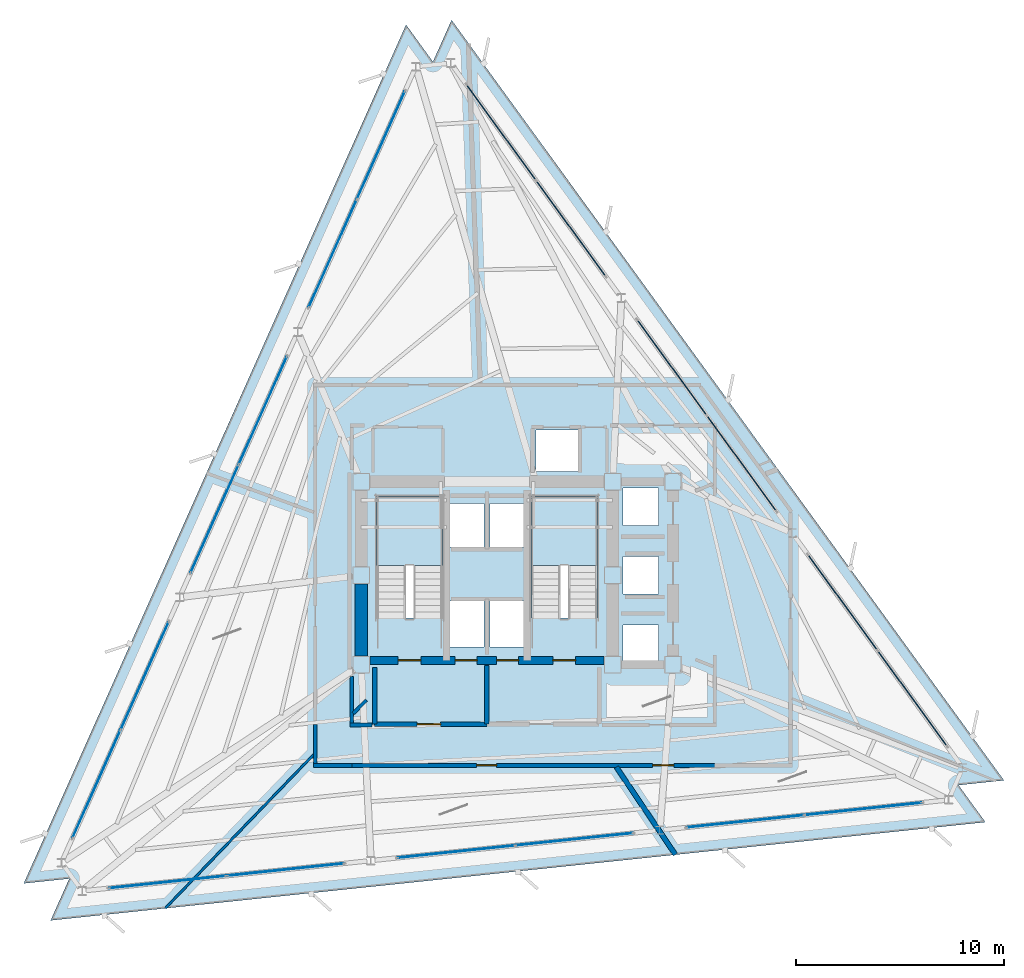
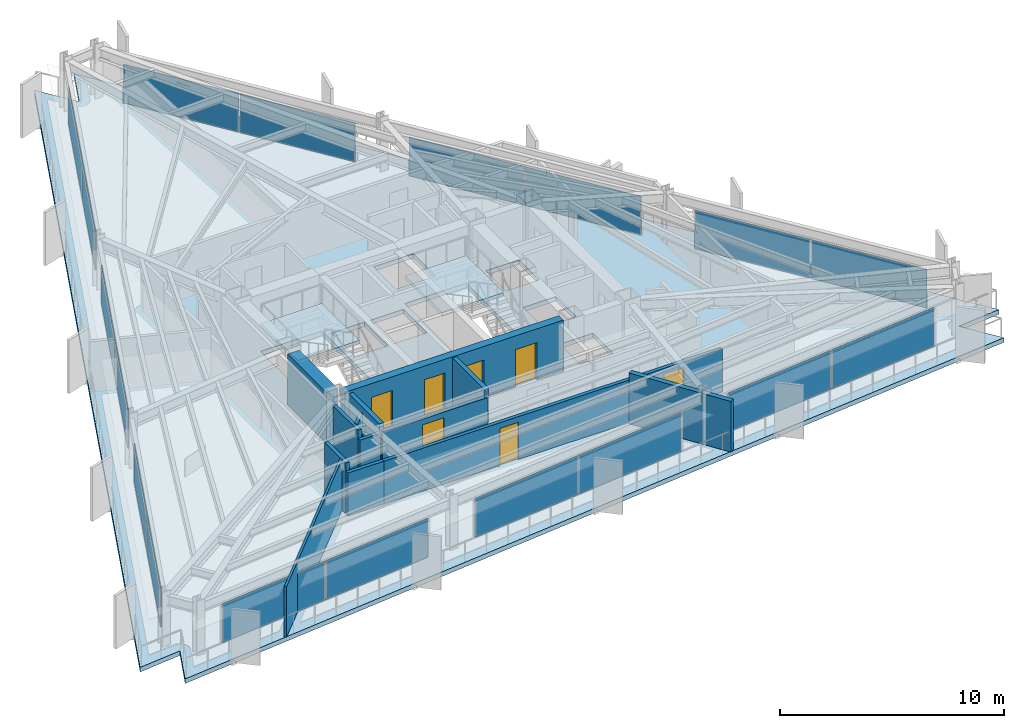
# One storey, part 7 of 13: 18 plates, 13 walls, 7 doors, 3 slabs, 7 openings, 11 elements without a shape of their own.
"""IFC4 building model written with IfcOpenShell, lengths in metres."""

from ifc_helpers import new_model, si_unit, direction, frame, frame_2d, origin, origin_2d, place, context, subcontext, project, spatial, polyline, rectangle, outline, extrude, material, layer, layer_set, type_object, element, fill, aggregate, save


model = new_model("IFC4")

# Units and contexts
model_context = context("Model", 3, precision=1e-05, world=origin(), true_north=direction((0.0, 1.0)))
body_context = subcontext(model_context, "Body", "Model", "MODEL_VIEW")
ifc_project = project(units=[si_unit("LENGTHUNIT", "METRE"), si_unit("AREAUNIT", "SQUARE_METRE"), si_unit("VOLUMEUNIT", "CUBIC_METRE"), si_unit("PLANEANGLEUNIT", "RADIAN"), si_unit("MASSUNIT", "GRAM", prefix="KILO")], contexts=[model_context])

# Site, building, storey
site_placement = place(None, origin())
site = spatial("IfcSite", under=ifc_project, at=site_placement, CompositionType="ELEMENT")
building_placement = place(site_placement, origin())
building = spatial("IfcBuilding", under=site, at=building_placement, Name="Rocaltana Carrier Exchange", CompositionType="ELEMENT")
storey_placement = place(building_placement, frame((0.0, 0.0, 119.840087890625)))
storey = spatial("IfcBuildingStorey", under=building, at=storey_placement, Name="L37", CompositionType="ELEMENT", Elevation=119.840087890625)

# Curtain wall, plates
ifc_material_1 = material(Name="Aluminium 6063-T6", Category="aluminium")
ifc_layer_1 = layer(ifc_material_1, 0.14990234375)
ifc_layer_set_1 = layer_set([ifc_layer_1], Name="Aluminium 6063-T6")
curtain_wall_type = type_object("IfcCurtainWallType", Name="Mid-Tower Unitised Curtain Wall CW-03", PredefinedType="NOTDEFINED", material=ifc_layer_set_1)
curtain_wall_1_placement = place(storey_placement, origin())
curtain_wall_1 = element("IfcCurtainWall", 1, at=curtain_wall_1_placement, inside=storey, type_object=curtain_wall_type, Name="L37 CW-03 Run CW-L37-F1S1", PredefinedType="NOTDEFINED")
ifc_material_2 = material(Name="Tempered Laminated Glass", Category="glass")
ifc_layer_2 = layer(ifc_material_2, 0.0400390625)
ifc_layer_set_2 = layer_set([ifc_layer_2], Name="Tempered Laminated Glass")
plate_type = type_object("IfcPlateType", Name="CW-03 Stone-Insulated Vision Panel", PredefinedType="CURTAIN_PANEL", material=ifc_layer_set_2)
plate_1_placement = place(storey_placement, frame((20.4580078125, -5.925048828125, 0.06005859375), z_axis=(0.0, 0.0, 1.0), x_axis=(-0.587789985889, 0.809013555195, 0.0)))
plate_1 = element("IfcPlate", 2, at=plate_1_placement, type_object=plate_type, Name="CW-03 panel 1.1", PredefinedType="CURTAIN_PANEL", context=body_context, shape_type="SweptSolid", body=[
    extrude(rectangle(XDim=5.643310546875, YDim=0.0400390625, at=origin_2d()), origin(), (0.0, 0.0, 1.0), 2.097900390625),
])
plate_2_placement = place(storey_placement, frame((17.105712890625, -1.310791015625, 0.06005859375), z_axis=(0.0, 0.0, 1.0), x_axis=(-0.587789985889, 0.809013555195, 0.0)))
plate_2 = element("IfcPlate", 3, at=plate_2_placement, type_object=plate_type, Name="CW-03 panel 2.1", PredefinedType="CURTAIN_PANEL", context=body_context, shape_type="SweptSolid", body=[
    extrude(rectangle(XDim=5.643310546875, YDim=0.0400390625, at=origin_2d()), origin(), (0.0, 0.0, 1.0), 2.097900390625),
])
aggregate(curtain_wall_1, [plate_1, plate_2])

curtain_wall_2_placement = place(storey_placement, origin())
curtain_wall_2 = element("IfcCurtainWall", 4, at=curtain_wall_2_placement, inside=storey, type_object=curtain_wall_type, Name="L37 CW-03 Run CW-L37-F1S2", PredefinedType="NOTDEFINED")
plate_3_placement = place(storey_placement, frame((12.248779296875, 5.374267578125, 0.06005859375), z_axis=(0.0, 0.0, 1.0), x_axis=(-0.587789985889, 0.809013555195, 0.0)))
plate_3 = element("IfcPlate", 5, at=plate_3_placement, type_object=plate_type, Name="CW-03 panel 1.1", PredefinedType="CURTAIN_PANEL", context=body_context, shape_type="SweptSolid", body=[
    extrude(rectangle(XDim=5.643310546875, YDim=0.0400390625, at=origin_2d()), origin(), (0.0, 0.0, 1.0), 2.097900390625),
])
plate_4_placement = place(storey_placement, frame((8.896240234375, 9.98828125, 0.06005859375), z_axis=(0.0, 0.0, 1.0), x_axis=(-0.587789985889, 0.809013555195, 0.0)))
plate_4 = element("IfcPlate", 6, at=plate_4_placement, type_object=plate_type, Name="CW-03 panel 2.1", PredefinedType="CURTAIN_PANEL", context=body_context, shape_type="SweptSolid", body=[
    extrude(rectangle(XDim=5.643310546875, YDim=0.0400390625, at=origin_2d()), origin(), (0.0, 0.0, 1.0), 2.097900390625),
])
aggregate(curtain_wall_2, [plate_3, plate_4])

curtain_wall_3_placement = place(storey_placement, origin())
curtain_wall_3 = element("IfcCurtainWall", 7, at=curtain_wall_3_placement, inside=storey, type_object=curtain_wall_type, Name="L37 CW-03 Run CW-L37-F1S3", PredefinedType="NOTDEFINED")
plate_5_placement = place(storey_placement, frame((4.039306640625, 16.673583984375, 0.06005859375), z_axis=(0.0, 0.0, 1.0), x_axis=(-0.587789985889, 0.809013555195, 0.0)))
plate_5 = element("IfcPlate", 8, at=plate_5_placement, type_object=plate_type, Name="CW-03 panel 1.1", PredefinedType="CURTAIN_PANEL", context=body_context, shape_type="SweptSolid", body=[
    extrude(rectangle(XDim=5.643310546875, YDim=0.0400390625, at=origin_2d()), origin(), (0.0, 0.0, 1.0), 2.097900390625),
])
plate_6_placement = place(storey_placement, frame((0.68701171875, 21.28759765625, 0.06005859375), z_axis=(0.0, 0.0, 1.0), x_axis=(-0.587789985889, 0.809013555195, 0.0)))
plate_6 = element("IfcPlate", 9, at=plate_6_placement, type_object=plate_type, Name="CW-03 panel 2.1", PredefinedType="CURTAIN_PANEL", context=body_context, shape_type="SweptSolid", body=[
    extrude(rectangle(XDim=5.643310546875, YDim=0.0400390625, at=origin_2d()), origin(), (0.0, 0.0, 1.0), 2.097900390625),
])
aggregate(curtain_wall_3, [plate_5, plate_6])

curtain_wall_4_placement = place(storey_placement, origin())
curtain_wall_4 = element("IfcCurtainWall", 10, at=curtain_wall_4_placement, inside=storey, type_object=curtain_wall_type, Name="L37 CW-03 Run CW-L37-F2S1", PredefinedType="NOTDEFINED")
plate_7_placement = place(storey_placement, frame((-5.097900390625, 20.6796875, 0.06005859375), z_axis=(0.0, 0.0, 1.0), x_axis=(-0.406740386206, -0.913543791084, 0.0)))
plate_7 = element("IfcPlate", 11, at=plate_7_placement, type_object=plate_type, Name="CW-03 panel 1.1", PredefinedType="CURTAIN_PANEL", context=body_context, shape_type="SweptSolid", body=[
    extrude(rectangle(XDim=5.643310546875, YDim=0.0400390625, at=origin_2d()), origin(), (0.0, 0.0, 1.0), 2.097900390625),
])
plate_8_placement = place(storey_placement, frame((-7.41748046875, 15.46923828125, 0.06005859375), z_axis=(0.0, 0.0, 1.0), x_axis=(-0.406740386206, -0.913543791084, 0.0)))
plate_8 = element("IfcPlate", 12, at=plate_8_placement, type_object=plate_type, Name="CW-03 panel 2.1", PredefinedType="CURTAIN_PANEL", context=body_context, shape_type="SweptSolid", body=[
    extrude(rectangle(XDim=5.643310546875, YDim=0.0400390625, at=origin_2d()), origin(), (0.0, 0.0, 1.0), 2.097900390625),
])
aggregate(curtain_wall_4, [plate_7, plate_8])

curtain_wall_5_placement = place(storey_placement, origin())
curtain_wall_5 = element("IfcCurtainWall", 13, at=curtain_wall_5_placement, inside=storey, type_object=curtain_wall_type, Name="L37 CW-03 Run CW-L37-F2S2", PredefinedType="NOTDEFINED")
plate_9_placement = place(storey_placement, frame((-10.778564453125, 7.92041015625, 0.06005859375), z_axis=(0.0, 0.0, 1.0), x_axis=(-0.406743626669, -0.913542348315, 0.0)))
plate_9 = element("IfcPlate", 14, at=plate_9_placement, type_object=plate_type, Name="CW-03 panel 1.1", PredefinedType="CURTAIN_PANEL", context=body_context, shape_type="SweptSolid", body=[
    extrude(rectangle(XDim=5.643310546875, YDim=0.0400390625, at=origin_2d()), origin(), (0.0, 0.0, 1.0), 2.097900390625),
])
plate_10_placement = place(storey_placement, frame((-13.098388671875, 2.710205078125, 0.06005859375), z_axis=(0.0, 0.0, 1.0), x_axis=(-0.406743626669, -0.913542348315, 0.0)))
plate_10 = element("IfcPlate", 15, at=plate_10_placement, type_object=plate_type, Name="CW-03 panel 2.1", PredefinedType="CURTAIN_PANEL", context=body_context, shape_type="SweptSolid", body=[
    extrude(rectangle(XDim=5.643310546875, YDim=0.0400390625, at=origin_2d()), origin(), (0.0, 0.0, 1.0), 2.097900390625),
])
aggregate(curtain_wall_5, [plate_9, plate_10])

curtain_wall_6_placement = place(storey_placement, origin())
curtain_wall_6 = element("IfcCurtainWall", 16, at=curtain_wall_6_placement, inside=storey, type_object=curtain_wall_type, Name="L37 CW-03 Run CW-L37-F2S3", PredefinedType="NOTDEFINED")
plate_11_placement = place(storey_placement, frame((-16.45947265625, -4.838623046875, 0.06005859375), z_axis=(0.0, 0.0, 1.0), x_axis=(-0.406733108077, -0.913547031517, 0.0)))
plate_11 = element("IfcPlate", 17, at=plate_11_placement, type_object=plate_type, Name="CW-03 panel 1.1", PredefinedType="CURTAIN_PANEL", context=body_context, shape_type="SweptSolid", body=[
    extrude(rectangle(XDim=5.643310546875, YDim=0.0400390625, at=origin_2d()), origin(), (0.0, 0.0, 1.0), 2.097900390625),
])
plate_12_placement = place(storey_placement, frame((-18.779052734375, -10.048828125, 0.06005859375), z_axis=(0.0, 0.0, 1.0), x_axis=(-0.406733108077, -0.913547031517, 0.0)))
plate_12 = element("IfcPlate", 18, at=plate_12_placement, type_object=plate_type, Name="CW-03 panel 2.1", PredefinedType="CURTAIN_PANEL", context=body_context, shape_type="SweptSolid", body=[
    extrude(rectangle(XDim=5.643310546875, YDim=0.0400390625, at=origin_2d()), origin(), (0.0, 0.0, 1.0), 2.097900390625),
])
aggregate(curtain_wall_6, [plate_11, plate_12])

curtain_wall_7_placement = place(storey_placement, origin())
curtain_wall_7 = element("IfcCurtainWall", 19, at=curtain_wall_7_placement, inside=storey, type_object=curtain_wall_type, Name="L37 CW-03 Run CW-L37-F3S1", PredefinedType="NOTDEFINED")
plate_13_placement = place(storey_placement, frame((-15.360107421875, -14.754638671875, 0.06005859375), z_axis=(0.0, 0.0, 1.0), x_axis=(0.994522594952, 0.104521806959, 0.0)))
plate_13 = element("IfcPlate", 20, at=plate_13_placement, type_object=plate_type, Name="CW-03 panel 1.1", PredefinedType="CURTAIN_PANEL", context=body_context, shape_type="SweptSolid", body=[
    extrude(rectangle(XDim=5.643310546875, YDim=0.0400390625, at=origin_2d()), origin(), (0.0, 0.0, 1.0), 2.097900390625),
])
plate_14_placement = place(storey_placement, frame((-9.688232421875, -14.15869140625, 0.06005859375), z_axis=(0.0, 0.0, 1.0), x_axis=(0.994522594952, 0.104521806959, 0.0)))
plate_14 = element("IfcPlate", 21, at=plate_14_placement, type_object=plate_type, Name="CW-03 panel 2.1", PredefinedType="CURTAIN_PANEL", context=body_context, shape_type="SweptSolid", body=[
    extrude(rectangle(XDim=5.643310546875, YDim=0.0400390625, at=origin_2d()), origin(), (0.0, 0.0, 1.0), 2.097900390625),
])
aggregate(curtain_wall_7, [plate_13, plate_14])

curtain_wall_8_placement = place(storey_placement, origin())
curtain_wall_8 = element("IfcCurtainWall", 22, at=curtain_wall_8_placement, inside=storey, type_object=curtain_wall_type, Name="L37 CW-03 Run CW-L37-F3S2", PredefinedType="NOTDEFINED")
plate_15_placement = place(storey_placement, frame((-1.469970703125, -13.294677734375, 0.06005859375), z_axis=(0.0, 0.0, 1.0), x_axis=(0.994521783658, 0.104529526113, 0.0)))
plate_15 = element("IfcPlate", 23, at=plate_15_placement, type_object=plate_type, Name="CW-03 panel 1.1", PredefinedType="CURTAIN_PANEL", context=body_context, shape_type="SweptSolid", body=[
    extrude(rectangle(XDim=5.643310546875, YDim=0.0400390625, at=origin_2d()), origin(), (0.0, 0.0, 1.0), 2.097900390625),
])
plate_16_placement = place(storey_placement, frame((4.2021484375, -12.69873046875, 0.06005859375), z_axis=(0.0, 0.0, 1.0), x_axis=(0.994521783658, 0.104529526113, 0.0)))
plate_16 = element("IfcPlate", 24, at=plate_16_placement, type_object=plate_type, Name="CW-03 panel 2.1", PredefinedType="CURTAIN_PANEL", context=body_context, shape_type="SweptSolid", body=[
    extrude(rectangle(XDim=5.643310546875, YDim=0.0400390625, at=origin_2d()), origin(), (0.0, 0.0, 1.0), 2.097900390625),
])
aggregate(curtain_wall_8, [plate_15, plate_16])

curtain_wall_9_placement = place(storey_placement, origin())
curtain_wall_9 = element("IfcCurtainWall", 25, at=curtain_wall_9_placement, inside=storey, type_object=curtain_wall_type, Name="L37 CW-03 Run CW-L37-F3S3", PredefinedType="NOTDEFINED")
plate_17_placement = place(storey_placement, frame((12.420166015625, -11.834716796875, 0.06005859375), z_axis=(0.0, 0.0, 1.0), x_axis=(0.994522594952, 0.104521806959, 0.0)))
plate_17 = element("IfcPlate", 26, at=plate_17_placement, type_object=plate_type, Name="CW-03 panel 1.1", PredefinedType="CURTAIN_PANEL", context=body_context, shape_type="SweptSolid", body=[
    extrude(rectangle(XDim=5.643310546875, YDim=0.0400390625, at=origin_2d()), origin(), (0.0, 0.0, 1.0), 2.097900390625),
])
plate_18_placement = place(storey_placement, frame((18.092041015625, -11.23876953125, 0.06005859375), z_axis=(0.0, 0.0, 1.0), x_axis=(0.994522594952, 0.104521806959, 0.0)))
plate_18 = element("IfcPlate", 27, at=plate_18_placement, type_object=plate_type, Name="CW-03 panel 2.1", PredefinedType="CURTAIN_PANEL", context=body_context, shape_type="SweptSolid", body=[
    extrude(rectangle(XDim=5.643310546875, YDim=0.0400390625, at=origin_2d()), origin(), (0.0, 0.0, 1.0), 2.097900390625),
])
aggregate(curtain_wall_9, [plate_17, plate_18])

# Slab
ifc_material_3 = material(Name="Concrete C50/60", Category="concrete")
ifc_layer_3 = layer(ifc_material_3, 0.25)
ifc_layer_set_3 = layer_set([ifc_layer_3], Name="Concrete C50/60")
slab_type_1 = type_object("IfcSlabType", Name="Mid-Zone Tower Slab 250", PredefinedType="FLOOR", material=ifc_layer_set_3)
slab_1_placement = place(storey_placement, frame((0.0, 0.0, -0.25)))
element("IfcSlab", 28, at=slab_1_placement, inside=storey, type_object=slab_type_1, Name="L37 Structural Floor Slab", PredefinedType="FLOOR", context=body_context, shape_type="SweptSolid", body=[
    extrude(outline(polyline([(23.972900390625, -11.87744140625), (22.6796875, -10.09765625), (24.86767578125, -9.86767578125), (-1.7001953125, 26.699951171875), (-2.594970703125, 24.690185546875), (-3.88818359375, 26.469970703125), (-22.272705078125, -14.822509765625), (-20.084716796875, -14.59228515625), (-20.9794921875, -16.602294921875), (23.972900390625, -11.87744140625)]), holes=[polyline([(-5.300048828125, -2.06005859375), (-2.139892578125, -2.06005859375), (-2.139892578125, 3.800048828125), (-5.300048828125, 3.800048828125), (-5.300048828125, -2.06005859375)]), polyline([(2.139892578125, -2.06005859375), (5.300048828125, -2.06005859375), (5.300048828125, 3.800048828125), (2.139892578125, 3.800048828125), (2.139892578125, -2.06005859375)]), polyline([(-1.85009765625, -3.449951171875), (-0.14990234375, -3.449951171875), (-0.14990234375, -1.25), (-1.85009765625, -1.25), (-1.85009765625, -3.449951171875)]), polyline([(0.14990234375, -3.449951171875), (1.85009765625, -3.449951171875), (1.85009765625, -1.25), (0.14990234375, -1.25), (0.14990234375, -3.449951171875)]), polyline([(2.35009765625, 4.97998046875), (4.39990234375, 4.97998046875), (4.39990234375, 6.97998046875), (2.35009765625, 6.97998046875), (2.35009765625, 4.97998046875)]), polyline([(-1.85009765625, 1.35009765625), (-0.14990234375, 1.35009765625), (-0.14990234375, 3.449951171875), (-1.85009765625, 3.449951171875), (-1.85009765625, 1.35009765625)]), polyline([(0.14990234375, 1.35009765625), (1.85009765625, 1.35009765625), (1.85009765625, 3.449951171875), (0.14990234375, 3.449951171875), (0.14990234375, 1.35009765625)]), polyline([(6.550048828125, -4.199951171875), (8.25, -4.199951171875), (8.25, -2.39990234375), (6.550048828125, -2.39990234375), (6.550048828125, -4.199951171875)]), polyline([(6.550048828125, -0.89990234375), (8.25, -0.89990234375), (8.25, 0.89990234375), (6.550048828125, 0.89990234375), (6.550048828125, -0.89990234375)]), polyline([(6.550048828125, 2.39990234375), (8.25, 2.39990234375), (8.25, 4.199951171875), (6.550048828125, 4.199951171875), (6.550048828125, 2.39990234375)])]), origin(), (0.0, 0.0, 1.0), 0.25),
])

# Stair, slab
ifc_material_4 = material(Name="Precast concrete C45/55", Category="concrete")
stair_type = type_object("IfcStairType", Name="Standard Dog-Leg Stair 160", PredefinedType="HALF_TURN_STAIR", material=ifc_material_4)
stair_1_placement = place(storey_placement, origin())
stair_1 = element("IfcStair", 29, at=stair_1_placement, inside=storey, type_object=stair_type, Name="L37 Core West Exit Stair ST-1", PredefinedType="HALF_TURN_STAIR")
ifc_material_5 = material(Name="Precast concrete C45/55", Category="concrete")
ifc_layer_4 = layer(ifc_material_5, 0.199951171875)
ifc_layer_set_4 = layer_set([ifc_layer_4], Name="Precast concrete C45/55")
slab_type_2 = type_object("IfcSlabType", Name="Precast Stair Half-Landing 200", PredefinedType="LANDING", material=ifc_layer_set_4)
slab_2_placement = place(storey_placement, frame((0.0, 0.0, 1.31982421875)))
slab_2 = element("IfcSlab", 30, at=slab_2_placement, type_object=slab_type_2, Name="ST-1 landing 1", PredefinedType="LANDING", context=body_context, shape_type="SweptSolid", body=[
    extrude(outline(polyline([(-2.139892578125, 0.4599609375), (-2.139892578125, 3.800048828125), (-5.300048828125, 3.800048828125), (-5.300048828125, 0.4599609375), (-2.139892578125, 0.4599609375)])), origin(), (0.0, 0.0, 1.0), 0.2001953125),
])
aggregate(stair_1, [slab_2])

stair_2_placement = place(storey_placement, origin())
stair_2 = element("IfcStair", 31, at=stair_2_placement, inside=storey, type_object=stair_type, Name="L37 Core East Exit Stair ST-2", PredefinedType="HALF_TURN_STAIR")
slab_3_placement = place(storey_placement, frame((0.0, 0.0, 1.31982421875)))
slab_3 = element("IfcSlab", 32, at=slab_3_placement, type_object=slab_type_2, Name="ST-2 landing 1", PredefinedType="LANDING", context=body_context, shape_type="SweptSolid", body=[
    extrude(outline(polyline([(5.300048828125, 0.4599609375), (5.300048828125, 3.800048828125), (2.139892578125, 3.800048828125), (2.139892578125, 0.4599609375), (5.300048828125, 0.4599609375)])), origin(), (0.0, 0.0, 1.0), 0.2001953125),
])
aggregate(stair_2, [slab_3])

# Wall
ifc_material_6 = material(Name="Double Acoustic Gypsum Partition", Category="gypsum")
ifc_layer_5 = layer(ifc_material_6, 0.159912109375)
ifc_layer_set_5 = layer_set([ifc_layer_5], Name="Double Acoustic Gypsum Partition")
wall_type_1 = type_object("IfcWallType", Name="Acoustic Studio Partition 160 EI60", PredefinedType="PARTITIONING", material=ifc_layer_set_5)
wall_1_placement = place(storey_placement, frame((-5.800048828125, -6.006103515625, 0.0), z_axis=(0.0, 0.0, 1.0), x_axis=(-0.694550575615, -0.719443881003, 0.0)))
element("IfcWall", 33, at=wall_1_placement, inside=storey, type_object=wall_type_1, Name="L37 Suite Divider Wall D1", PredefinedType="PARTITIONING", context=body_context, shape_type="SweptSolid", body=[
    extrude(rectangle(XDim=0.892578125, YDim=0.159912109375, at=frame_2d((0.4462890625, 0.0))), origin(), (0.0, 0.0, 1.0), 2.762939453125),
])

# Wall, openings, doors
ifc_material_7 = material(Name="Concrete C50/60", Category="concrete")
ifc_layer_6 = layer(ifc_material_7, 0.39990234375)
ifc_layer_set_6 = layer_set([ifc_layer_6], Name="Concrete C50/60")
wall_type_2 = type_object("IfcWallType", Name="Core Internal Shear Wall 400", PredefinedType="SHEAR", material=ifc_layer_set_6)
wall_2_placement = place(storey_placement, frame((-5.625, -4.10009765625, 0.0), z_axis=(0.0, 0.0, 1.0), x_axis=(1.0, 0.0, 0.0)))
wall_2 = element("IfcWall", 34, at=wall_2_placement, inside=storey, type_object=wall_type_2, Name="L37 Core Shear Wall CW-S", PredefinedType="SHEAR", context=body_context, shape_type="SweptSolid", body=[
    extrude(rectangle(XDim=11.25, YDim=0.39990234375, at=frame_2d((5.625, 0.0))), origin(), (0.0, 0.0, 1.0), 2.787841796875),
])
opening_1_placement = place(wall_2_placement, frame((1.35498046875, 0.0, 0.0)))
opening_1 = element("IfcOpeningElement", 35, at=opening_1_placement, cuts=wall_2, Name="Opening D-ST110", PredefinedType="OPENING", context=body_context, shape_type="SweptSolid", body=[
    extrude(rectangle(XDim=1.10009765625, YDim=2.0400390625, at=frame_2d((0.550048828125, 1.02001953125))), frame((0.0, 0.2099609375, 0.0), z_axis=(0.0, -1.0, 0.0), x_axis=(1.0, 0.0, 0.0)), (0.0, 0.0, 1.0), 0.419921875),
])
opening_2_placement = place(wall_2_placement, frame((8.794921875, 0.0, 0.0)))
opening_2 = element("IfcOpeningElement", 36, at=opening_2_placement, cuts=wall_2, Name="Opening D-ST110", PredefinedType="OPENING", context=body_context, shape_type="SweptSolid", body=[
    extrude(rectangle(XDim=1.10009765625, YDim=2.0400390625, at=frame_2d((0.550048828125, 1.02001953125))), frame((0.0, 0.2099609375, 0.0), z_axis=(0.0, -1.0, 0.0), x_axis=(1.0, 0.0, 0.0)), (0.0, 0.0, 1.0), 0.419921875),
])
opening_3_placement = place(wall_2_placement, frame((4.094970703125, 0.0, 0.0)))
opening_3 = element("IfcOpeningElement", 37, at=opening_3_placement, cuts=wall_2, Name="Opening LD-110", PredefinedType="OPENING", context=body_context, shape_type="SweptSolid", body=[
    extrude(rectangle(XDim=1.06005859375, YDim=2.0400390625, at=frame_2d((0.530029296875, 1.02001953125))), frame((0.0, 0.2099609375, 0.0), z_axis=(0.0, -1.0, 0.0), x_axis=(1.0, 0.0, 0.0)), (0.0, 0.0, 1.0), 0.419921875),
])
opening_4_placement = place(wall_2_placement, frame((6.094970703125, 0.0, 0.0)))
opening_4 = element("IfcOpeningElement", 38, at=opening_4_placement, cuts=wall_2, Name="Opening LD-110", PredefinedType="OPENING", context=body_context, shape_type="SweptSolid", body=[
    extrude(rectangle(XDim=1.06005859375, YDim=2.0400390625, at=frame_2d((0.530029296875, 1.02001953125))), frame((0.0, 0.2099609375, 0.0), z_axis=(0.0, -1.0, 0.0), x_axis=(1.0, 0.0, 0.0)), (0.0, 0.0, 1.0), 0.419921875),
])
ifc_material_8 = material(Name="Hollow Metal Fire Door Assembly", Category="steel")
door_type_1 = type_object("IfcDoorType", Name="Exit Stair Fire Door 1100x2040 FD90S", OperationType="NOTDEFINED", PredefinedType="DOOR", material=ifc_material_8)
door_1_placement = place(opening_1_placement, origin())
door_1 = element("IfcDoor", 39, at=door_1_placement, inside=storey, type_object=door_type_1, Name="L37 Exit Stair ST1 Fire Door", OperationType="SINGLE_SWING_LEFT", OverallHeight=2.0400390625, OverallWidth=1.10009765625, PredefinedType="DOOR", context=body_context, shape_type="SweptSolid", body=[
    extrude(rectangle(XDim=1.10009765625, YDim=2.0400390625, at=frame_2d((0.550048828125, 1.02001953125))), frame((0.0, 0.02490234375, 0.0), z_axis=(0.0, -1.0, 0.0), x_axis=(1.0, 0.0, 0.0)), (0.0, 0.0, 1.0), 0.050048828125),
])
fill(opening_1, door_1)
door_2_placement = place(opening_2_placement, origin())
door_2 = element("IfcDoor", 40, at=door_2_placement, inside=storey, type_object=door_type_1, Name="L37 Exit Stair ST2 Fire Door", OperationType="SINGLE_SWING_RIGHT", OverallHeight=2.0400390625, OverallWidth=1.10009765625, PredefinedType="DOOR", context=body_context, shape_type="SweptSolid", body=[
    extrude(rectangle(XDim=1.10009765625, YDim=2.0400390625, at=frame_2d((0.550048828125, 1.02001953125))), frame((0.0, 0.02490234375, 0.0), z_axis=(0.0, -1.0, 0.0), x_axis=(1.0, 0.0, 0.0)), (0.0, 0.0, 1.0), 0.050048828125),
])
fill(opening_2, door_2)
ifc_material_9 = material(Name="Brushed Stainless Sliding Door Leaf", Category="steel")
door_type_2 = type_object("IfcDoorType", Name="Lift Landing Sliding Door 1060x2040", OperationType="NOTDEFINED", PredefinedType="DOOR", material=ifc_material_9)
door_3_placement = place(opening_3_placement, origin())
door_3 = element("IfcDoor", 41, at=door_3_placement, inside=storey, type_object=door_type_2, Name="L37 Firefighting Lift FFL1 Landing Door", OperationType="SLIDING_TO_LEFT", OverallHeight=2.0400390625, OverallWidth=1.06005859375, PredefinedType="DOOR", context=body_context, shape_type="SweptSolid", body=[
    extrude(rectangle(XDim=1.06005859375, YDim=2.0400390625, at=frame_2d((0.530029296875, 1.02001953125))), frame((0.0, 0.02490234375, 0.0), z_axis=(0.0, -1.0, 0.0), x_axis=(1.0, 0.0, 0.0)), (0.0, 0.0, 1.0), 0.050048828125),
])
fill(opening_3, door_3)
door_4_placement = place(opening_4_placement, origin())
door_4 = element("IfcDoor", 42, at=door_4_placement, inside=storey, type_object=door_type_2, Name="L37 Firefighting Lift FFL2 Landing Door", OperationType="SLIDING_TO_RIGHT", OverallHeight=2.0400390625, OverallWidth=1.06005859375, PredefinedType="DOOR", context=body_context, shape_type="SweptSolid", body=[
    extrude(rectangle(XDim=1.06005859375, YDim=2.0400390625, at=frame_2d((0.530029296875, 1.02001953125))), frame((0.0, 0.02490234375, 0.0), z_axis=(0.0, -1.0, 0.0), x_axis=(1.0, 0.0, 0.0)), (0.0, 0.0, 1.0), 0.050048828125),
])
fill(opening_4, door_4)

# Walls
ifc_material_10 = material(Name="Concrete C50/60", Category="concrete")
ifc_layer_7 = layer(ifc_material_10, 0.60009765625)
ifc_layer_set_7 = layer_set([ifc_layer_7], Name="Concrete C50/60")
wall_type_3 = type_object("IfcWallType", Name="Core Shear Wall 600", PredefinedType="SHEAR", material=ifc_layer_set_7)
wall_3_placement = place(storey_placement, frame((-6.050048828125, -3.875, 0.0), z_axis=(0.0, 0.0, 1.0), x_axis=(0.0, 1.0, 0.0)))
element("IfcWall", 43, at=wall_3_placement, inside=storey, type_object=wall_type_3, Name="L37 Core Shear Wall CW-WS", PredefinedType="SHEAR", context=body_context, shape_type="SweptSolid", body=[
    extrude(rectangle(XDim=3.449951171875, YDim=0.60009765625, at=frame_2d((1.72509765625, 0.0))), origin(), (0.0, 0.0, 1.0), 2.787841796875),
])
ifc_material_11 = material(Name="Gypsum & Steel Stud Partition", Category="steel")
ifc_layer_8 = layer(ifc_material_11, 0.179931640625)
ifc_layer_set_8 = layer_set([ifc_layer_8], Name="Gypsum & Steel Stud Partition")
wall_type_4 = type_object("IfcWallType", Name="Corridor Fire Partition 180 EI60", PredefinedType="PARTITIONING", material=ifc_layer_set_8)
wall_4_placement = place(storey_placement, frame((-6.47998046875, -9.14990234375, 0.0), z_axis=(0.0, 0.0, 1.0), x_axis=(-1.0, 0.0, 0.0)))
element("IfcWall", 44, at=wall_4_placement, inside=storey, type_object=wall_type_4, Name="L37 Corridor Partition 1", PredefinedType="PARTITIONING", context=body_context, shape_type="SweptSolid", body=[
    extrude(rectangle(XDim=1.860107421875, YDim=0.179931640625, at=frame_2d((0.93017578125, 0.0))), origin(), (0.0, 0.0, 1.0), 2.329833984375),
])
wall_5_placement = place(storey_placement, frame((-8.25, -9.06005859375, 0.0), z_axis=(0.0, 0.0, 1.0), x_axis=(0.0, 1.0, 0.0)))
element("IfcWall", 45, at=wall_5_placement, inside=storey, type_object=wall_type_4, Name="L37 Corridor Partition 2", PredefinedType="PARTITIONING", context=body_context, shape_type="SweptSolid", body=[
    extrude(rectangle(XDim=1.880126953125, YDim=0.179931640625, at=frame_2d((0.93994140625, 0.0))), origin(), (0.0, 0.0, 1.0), 2.762939453125),
])

# Wall, openings, doors
wall_6_placement = place(storey_placement, frame((10.97998046875, -9.14990234375, 0.0), z_axis=(0.0, 0.0, 1.0), x_axis=(-1.0, 0.0, 0.0)))
wall_6 = element("IfcWall", 46, at=wall_6_placement, inside=storey, type_object=wall_type_4, Name="L37 Corridor Partition 11", PredefinedType="PARTITIONING", context=body_context, shape_type="SweptSolid", body=[
    extrude(rectangle(XDim=17.5, YDim=0.179931640625, at=frame_2d((8.75, 0.0))), origin(), (0.0, 0.0, 1.0), 2.329833984375),
])
opening_5_placement = place(wall_6_placement, frame((10.51123046875, 0.0, 0.0)))
opening_5 = element("IfcOpeningElement", 47, at=opening_5_placement, cuts=wall_6, Name="Opening D-RM098", PredefinedType="OPENING", context=body_context, shape_type="SweptSolid", body=[
    extrude(rectangle(XDim=0.9599609375, YDim=2.02001953125, at=frame_2d((0.47998046875, 1.010009765625))), frame((0.0, 0.099853515625, 0.0), z_axis=(0.0, -1.0, 0.0), x_axis=(1.0, 0.0, 0.0)), (0.0, 0.0, 1.0), 0.199951171875),
])
opening_6_placement = place(wall_6_placement, frame((1.989013671875, 0.0, 0.0)))
opening_6 = element("IfcOpeningElement", 48, at=opening_6_placement, cuts=wall_6, Name="Opening D-LB104", PredefinedType="OPENING", context=body_context, shape_type="SweptSolid", body=[
    extrude(rectangle(XDim=1.02001953125, YDim=2.02001953125, at=frame_2d((0.510009765625, 1.010009765625))), frame((0.0, 0.099853515625, 0.0), z_axis=(0.0, -1.0, 0.0), x_axis=(1.0, 0.0, 0.0)), (0.0, 0.0, 1.0), 0.199951171875),
])
ifc_material_12 = material(Name="Powder-Coated Aluminium 6063-T6", Category="aluminium")
door_type_3 = type_object("IfcDoorType", Name="Laboratory Acoustic Door 1020x2020", OperationType="NOTDEFINED", PredefinedType="DOOR", material=ifc_material_12)
door_5_placement = place(opening_6_placement, origin())
door_5 = element("IfcDoor", 49, at=door_5_placement, inside=storey, type_object=door_type_3, Name="L37 Optical Switching Laboratory Entrance Door", OperationType="SINGLE_SWING_RIGHT", OverallHeight=2.02001953125, OverallWidth=1.02001953125, PredefinedType="DOOR", context=body_context, shape_type="SweptSolid", body=[
    extrude(rectangle(XDim=1.02001953125, YDim=2.02001953125, at=frame_2d((0.510009765625, 1.010009765625))), frame((0.0, 0.02490234375, 0.0), z_axis=(0.0, -1.0, 0.0), x_axis=(1.0, 0.0, 0.0)), (0.0, 0.0, 1.0), 0.050048828125),
])
fill(opening_6, door_5)
ifc_material_13 = material(Name="Engineered Hardwood Timber", Category="wood")
door_type_4 = type_object("IfcDoorType", Name="Workspace Single Door 960x2020", OperationType="NOTDEFINED", PredefinedType="DOOR", material=ifc_material_13)
door_6_placement = place(opening_5_placement, origin())
door_6 = element("IfcDoor", 50, at=door_6_placement, inside=storey, type_object=door_type_4, Name="L37 Quiet Focus Lounge Entrance Door", OperationType="SINGLE_SWING_RIGHT", OverallHeight=2.02001953125, OverallWidth=0.9599609375, PredefinedType="DOOR", context=body_context, shape_type="SweptSolid", body=[
    extrude(rectangle(XDim=0.9599609375, YDim=2.02001953125, at=frame_2d((0.47998046875, 1.010009765625))), frame((0.0, 0.02490234375, 0.0), z_axis=(0.0, -1.0, 0.0), x_axis=(1.0, 0.0, 0.0)), (0.0, 0.0, 1.0), 0.050048828125),
])
fill(opening_5, door_6)

# Walls
wall_7_placement = place(storey_placement, frame((-6.5, -4.8798828125, 0.0), z_axis=(0.0, 0.0, 1.0), x_axis=(0.0, -1.0, 0.0)))
element("IfcWall", 51, at=wall_7_placement, inside=storey, type_object=wall_type_4, Name="L37 Corridor Partition 19", PredefinedType="PARTITIONING", context=body_context, shape_type="SweptSolid", body=[
    extrude(rectangle(XDim=2.230224609375, YDim=0.179931640625, at=frame_2d((1.115234375, 0.0))), origin(), (0.0, 0.0, 1.0), 2.762939453125),
])
wall_8_placement = place(storey_placement, frame((-6.590087890625, -7.199951171875, 0.0), z_axis=(0.0, 0.0, 1.0), x_axis=(1.0, 0.0, 0.0)))
element("IfcWall", 52, at=wall_8_placement, inside=storey, type_object=wall_type_4, Name="L37 Corridor Partition 20", PredefinedType="PARTITIONING", context=body_context, shape_type="SweptSolid", body=[
    extrude(rectangle(XDim=1.06005859375, YDim=0.179931640625, at=frame_2d((0.530029296875, 0.0))), origin(), (0.0, 0.0, 1.0), 2.329833984375),
])
ifc_material_14 = material(Name="Aluminium 6063-T6 & Acoustic Glass", Category="aluminium")
ifc_layer_9 = layer(ifc_material_14, 0.114990234375)
ifc_layer_set_9 = layer_set([ifc_layer_9], Name="Aluminium 6063-T6 & Acoustic Glass")
wall_type_5 = type_object("IfcWallType", Name="Demountable Glazed Lab Partition 115", PredefinedType="MOVABLE", material=ifc_layer_set_9)
wall_9_placement = place(storey_placement, frame((-8.330078125, -8.6259765625, 0.0), z_axis=(0.0, 0.0, 1.0), x_axis=(-0.694659007852, -0.719339184815, 0.0)))
element("IfcWall", 53, at=wall_9_placement, inside=storey, type_object=wall_type_5, Name="L37 Suite Divider Wall D2", PredefinedType="MOVABLE", context=body_context, shape_type="SweptSolid", body=[
    extrude(rectangle(XDim=10.26806640625, YDim=0.114990234375, at=frame_2d((5.134033203125, 0.0))), origin(), (0.0, 0.0, 1.0), 2.762939453125),
])
ifc_material_15 = material(Name="Autoclaved Aerated Concrete C30/37", Category="concrete")
ifc_layer_10 = layer(ifc_material_15, 0.219970703125)
ifc_layer_set_10 = layer_set([ifc_layer_10], Name="Autoclaved Aerated Concrete C30/37")
wall_type_6 = type_object("IfcWallType", Name="Firefighting Lobby Wall 220 EI120", PredefinedType="PARTITIONING", material=ifc_layer_set_10)
wall_10_placement = place(storey_placement, frame((-5.39990234375, -7.159912109375, 0.0), z_axis=(0.0, 0.0, 1.0), x_axis=(0.0, 1.0, 0.0)))
element("IfcWall", 54, at=wall_10_placement, inside=storey, type_object=wall_type_6, Name="L37 FFL Lobby 1 West Wall", PredefinedType="PARTITIONING", context=body_context, shape_type="SweptSolid", body=[
    extrude(rectangle(XDim=2.7099609375, YDim=0.219970703125, at=frame_2d((1.35498046875, 0.0))), origin(), (0.0, 0.0, 1.0), 2.762939453125),
])
wall_11_placement = place(storey_placement, frame((0.0, -7.159912109375, 0.0), z_axis=(0.0, 0.0, 1.0), x_axis=(0.0, 1.0, 0.0)))
element("IfcWall", 55, at=wall_11_placement, inside=storey, type_object=wall_type_6, Name="L37 FFL Lobby Centre Wall", PredefinedType="PARTITIONING", context=body_context, shape_type="SweptSolid", body=[
    extrude(rectangle(XDim=2.809814453125, YDim=0.219970703125, at=frame_2d((1.40478515625, 0.0))), origin(), (0.0, 0.0, 1.0), 2.762939453125),
])

# Wall, opening, door
wall_12_placement = place(storey_placement, frame((-5.39990234375, -7.159912109375, 0.0), z_axis=(0.0, 0.0, 1.0), x_axis=(1.0, 0.0, 0.0)))
wall_12 = element("IfcWall", 56, at=wall_12_placement, inside=storey, type_object=wall_type_6, Name="L37 FFL Lobby 1 South Wall", PredefinedType="PARTITIONING", context=body_context, shape_type="SweptSolid", body=[
    extrude(rectangle(XDim=5.39990234375, YDim=0.219970703125, at=frame_2d((2.699951171875, 0.0))), origin(), (0.0, 0.0, 1.0), 2.329833984375),
])
opening_7_placement = place(wall_12_placement, frame((2.050048828125, 0.0, 0.0)))
opening_7 = element("IfcOpeningElement", 57, at=opening_7_placement, cuts=wall_12, Name="Opening D-FF115", PredefinedType="OPENING", context=body_context, shape_type="SweptSolid", body=[
    extrude(rectangle(XDim=1.1201171875, YDim=2.02001953125, at=frame_2d((0.56005859375, 1.010009765625))), frame((0.0, 0.119873046875, 0.0), z_axis=(0.0, -1.0, 0.0), x_axis=(1.0, 0.0, 0.0)), (0.0, 0.0, 1.0), 0.239990234375),
])
ifc_material_16 = material(Name="Hollow Metal Fire Door Assembly", Category="steel")
door_type_5 = type_object("IfcDoorType", Name="Firefighting Lobby Door 1120x2020 FD60S", OperationType="NOTDEFINED", PredefinedType="DOOR", material=ifc_material_16)
door_7_placement = place(opening_7_placement, origin())
door_7 = element("IfcDoor", 58, at=door_7_placement, inside=storey, type_object=door_type_5, Name="L37 Firefighting Lift Lobby 1 Door", OperationType="SINGLE_SWING_LEFT", OverallHeight=2.02001953125, OverallWidth=1.1201171875, PredefinedType="DOOR", context=body_context, shape_type="SweptSolid", body=[
    extrude(rectangle(XDim=1.1201171875, YDim=2.02001953125, at=frame_2d((0.56005859375, 1.010009765625))), frame((0.0, 0.02490234375, 0.0), z_axis=(0.0, -1.0, 0.0), x_axis=(1.0, 0.0, 0.0)), (0.0, 0.0, 1.0), 0.050048828125),
])
fill(opening_7, door_7)

# Wall
ifc_material_17 = material(Name="Acoustic Calcium Silicate Partition", Category="gypsum")
ifc_layer_11 = layer(ifc_material_17, 0.239990234375)
ifc_layer_set_11 = layer_set([ifc_layer_11], Name="Acoustic Calcium Silicate Partition")
wall_type_7 = type_object("IfcWallType", Name="Heavy Lab Partition 240 EI90", PredefinedType="PARTITIONING", material=ifc_layer_set_11)
wall_13_placement = place(storey_placement, frame((6.2255859375, -9.22998046875, 0.0), z_axis=(0.0, 0.0, 1.0), x_axis=(0.559190912305, -0.82903891561, 0.0)))
element("IfcWall", 59, at=wall_13_placement, inside=storey, type_object=wall_type_7, Name="L37 Suite Divider Wall D3", PredefinedType="PARTITIONING", context=body_context, shape_type="SweptSolid", body=[
    extrude(rectangle(XDim=5.072021484375, YDim=0.239990234375, at=frame_2d((2.5361328125, 0.0))), origin(), (0.0, 0.0, 1.0), 2.762939453125),
])

save(model, "model.ifc")
